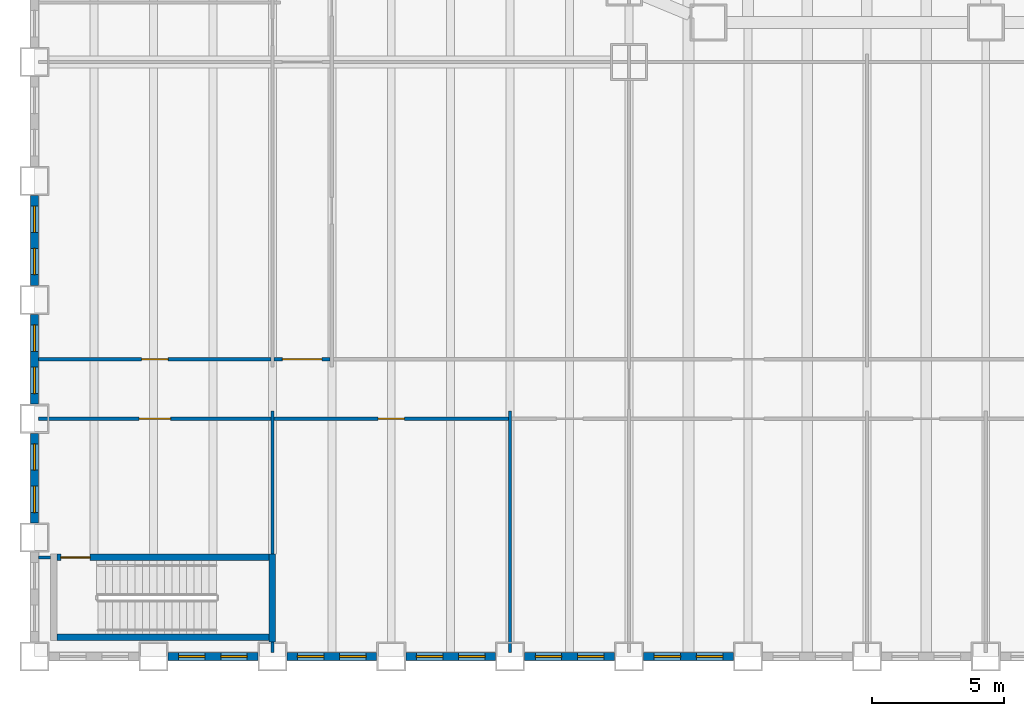
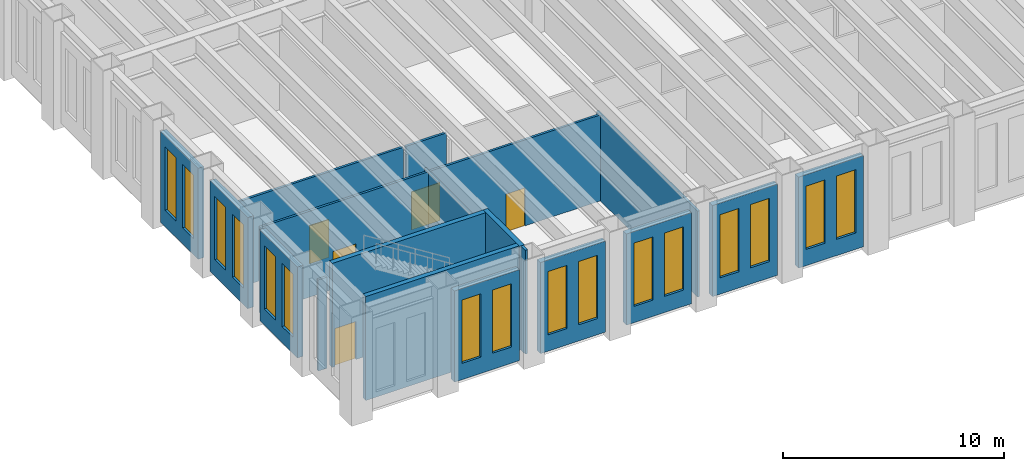
# One storey, part 6 of 19: 19 walls, 16 windows, 5 doors, 21 openings.
"""IFC4 building model written with IfcOpenShell, lengths in metres."""

from ifc_helpers import new_model, si_unit, direction, frame, frame_2d, origin, place, context, subcontext, project, spatial, rectangle, extrude, material, layer, layer_set, type_object, element, fill, save


model = new_model("IFC4")

# Units and contexts
model_context = context("Model", 3, precision=1e-05, world=origin(), true_north=direction((0.0, 1.0)))
body_context = subcontext(model_context, "Body", "Model", "MODEL_VIEW")
ifc_project = project(units=[si_unit("LENGTHUNIT", "METRE"), si_unit("AREAUNIT", "SQUARE_METRE"), si_unit("VOLUMEUNIT", "CUBIC_METRE"), si_unit("PLANEANGLEUNIT", "RADIAN"), si_unit("MASSUNIT", "GRAM", prefix="KILO")], contexts=[model_context])

# Site, building, storey
site_placement = place(None, origin())
site = spatial("IfcSite", under=ifc_project, at=site_placement, CompositionType="ELEMENT")
building_placement = place(site_placement, origin())
building = spatial("IfcBuilding", under=site, at=building_placement, Name="Sennacour Bend Tower", CompositionType="ELEMENT")
storey_placement = place(building_placement, frame((0.0, 0.0, 8.0)))
storey = spatial("IfcBuildingStorey", under=building, at=storey_placement, Name="L01", CompositionType="ELEMENT", Elevation=8.0)

# Walls
ifc_material_1 = material(Name="Plasterboard partition on steel studs", Category="steel")
ifc_layer_1 = layer(ifc_material_1, 0.1201171875, Name="Plasterboard partition on steel studs", Category="steel")
ifc_layer_set_1 = layer_set([ifc_layer_1], Name="Plasterboard partition on steel studs")
wall_type_1 = type_object("IfcWallType", Name="Partition 120", PredefinedType="PARTITIONING", material=ifc_layer_set_1)
wall_1_placement = place(storey_placement, frame((9.0, 0.14990234375, 0.0), z_axis=(0.0, 0.0, 1.0), x_axis=(0.0, 1.0, 0.0)))
element("IfcWall", 1, at=wall_1_placement, inside=storey, type_object=wall_type_1, Name="P-L01-W006a", PredefinedType="PARTITIONING", context=body_context, shape_type="SweptSolid", body=[
    extrude(rectangle(XDim=0.400146484375, YDim=0.1201171875, at=frame_2d((0.2001953125, 0.0))), origin(), (0.0, 0.0, 1.0), 5.75),
])
wall_2_placement = place(storey_placement, frame((9.0, 3.875, 0.0), z_axis=(0.0, 0.0, 1.0), x_axis=(0.0, 1.0, 0.0)))
element("IfcWall", 2, at=wall_2_placement, inside=storey, type_object=wall_type_1, Name="P-L01-W008a", PredefinedType="PARTITIONING", context=body_context, shape_type="SweptSolid", body=[
    extrude(rectangle(XDim=5.425048828125, YDim=0.1201171875, at=frame_2d((2.71240234375, 0.0))), origin(), (0.0, 0.0, 1.0), 4.7587890625),
])
wall_3_placement = place(storey_placement, frame((18.0, 0.14990234375, 0.0), z_axis=(0.0, 0.0, 1.0), x_axis=(0.0, 1.0, 0.0)))
element("IfcWall", 3, at=wall_3_placement, inside=storey, type_object=wall_type_1, Name="P-L01-W016a", PredefinedType="PARTITIONING", context=body_context, shape_type="SweptSolid", body=[
    extrude(rectangle(XDim=9.150146484375, YDim=0.1201171875, at=frame_2d((4.5751953125, 0.0))), origin(), (0.0, 0.0, 1.0), 4.7587890625),
])
wall_4_placement = place(storey_placement, frame((0.14990234375, 3.75, 0.0), z_axis=(0.0, 0.0, 1.0), x_axis=(1.0, 0.0, 0.0)))
element("IfcWall", 4, at=wall_4_placement, inside=storey, type_object=wall_type_1, Name="P-L01-W045a", PredefinedType="PARTITIONING", context=body_context, shape_type="SweptSolid", body=[
    extrude(rectangle(XDim=0.4501953125, YDim=0.1201171875, at=frame_2d((0.22509765625, 0.0))), origin(), (0.0, 0.0, 1.0), 5.0361328125),
])

# Wall, opening, door
wall_5_placement = place(storey_placement, frame((9.06005859375, 9.0, 0.0), z_axis=(0.0, 0.0, 1.0), x_axis=(1.0, 0.0, 0.0)))
wall_5 = element("IfcWall", 5, at=wall_5_placement, inside=storey, type_object=wall_type_1, Name="P-L01-W051ab", PredefinedType="PARTITIONING", context=body_context, shape_type="SweptSolid", body=[
    extrude(rectangle(XDim=8.8798828125, YDim=0.1201171875, at=frame_2d((4.43994140625, 0.0))), origin(), (0.0, 0.0, 1.0), 4.7587890625),
])
opening_1_placement = place(wall_5_placement, frame((3.93994140625, 0.0, 0.0)))
opening_1 = element("IfcOpeningElement", 6, at=opening_1_placement, cuts=wall_5, Name="Opening OD2", PredefinedType="OPENING", context=body_context, shape_type="SweptSolid", body=[
    extrude(rectangle(XDim=1.0, YDim=2.10009765625, at=frame_2d((0.5, 1.050048828125))), frame((0.0, 0.070068359375, 0.0), z_axis=(0.0, -1.0, 0.0), x_axis=(1.0, 0.0, 0.0)), (0.0, 0.0, 1.0), 0.14013671875),
])
ifc_material_2 = material(Name="Timber", Category="wood")
door_type_1 = type_object("IfcDoorType", Name="DR-OFFICE-1000", OperationType="NOTDEFINED", PredefinedType="DOOR", material=ifc_material_2)
door_1_placement = place(opening_1_placement, origin())
door_1 = element("IfcDoor", 7, at=door_1_placement, inside=storey, type_object=door_type_1, Name="Door", OperationType="SINGLE_SWING_LEFT", OverallHeight=2.10009765625, OverallWidth=1.0, PredefinedType="DOOR", context=body_context, shape_type="SweptSolid", body=[
    extrude(rectangle(XDim=1.0, YDim=2.10009765625, at=frame_2d((0.5, 1.050048828125))), frame((0.0, 0.02490234375, 0.0), z_axis=(0.0, -1.0, 0.0), x_axis=(1.0, 0.0, 0.0)), (0.0, 0.0, 1.0), 0.050048828125),
])
fill(opening_1, door_1)

wall_6_placement = place(storey_placement, frame((0.14990234375, 11.25, 0.0), z_axis=(0.0, 0.0, 1.0), x_axis=(1.0, 0.0, 0.0)))
wall_6 = element("IfcWall", 8, at=wall_6_placement, inside=storey, type_object=wall_type_1, Name="P-L01-W053aa", PredefinedType="PARTITIONING", context=body_context, shape_type="SweptSolid", body=[
    extrude(rectangle(XDim=8.7900390625, YDim=0.1201171875, at=frame_2d((4.39501953125, 0.0))), origin(), (0.0, 0.0, 1.0), 4.7587890625),
])
opening_2_placement = place(wall_6_placement, frame((3.905029296875, 0.0, 0.0)))
opening_2 = element("IfcOpeningElement", 9, at=opening_2_placement, cuts=wall_6, Name="Opening MD2", PredefinedType="OPENING", context=body_context, shape_type="SweptSolid", body=[
    extrude(rectangle(XDim=1.0, YDim=2.10009765625, at=frame_2d((0.5, 1.050048828125))), frame((0.0, 0.070068359375, 0.0), z_axis=(0.0, -1.0, 0.0), x_axis=(1.0, 0.0, 0.0)), (0.0, 0.0, 1.0), 0.14013671875),
])
door_type_2 = type_object("IfcDoorType", Name="DR-MEETING-1000", OperationType="NOTDEFINED", PredefinedType="DOOR", material=ifc_material_2)
door_2_placement = place(opening_2_placement, origin())
door_2 = element("IfcDoor", 10, at=door_2_placement, inside=storey, type_object=door_type_2, Name="Door", OperationType="SINGLE_SWING_LEFT", OverallHeight=2.10009765625, OverallWidth=1.0, PredefinedType="DOOR", context=body_context, shape_type="SweptSolid", body=[
    extrude(rectangle(XDim=1.0, YDim=2.10009765625, at=frame_2d((0.5, 1.050048828125))), frame((0.0, 0.02490234375, 0.0), z_axis=(0.0, -1.0, 0.0), x_axis=(1.0, 0.0, 0.0)), (0.0, 0.0, 1.0), 0.050048828125),
])
fill(opening_2, door_2)

ifc_layer_2 = layer(ifc_material_1, 0.1201171875, Name="Plasterboard partition on steel studs", Category="steel")
ifc_layer_set_2 = layer_set([ifc_layer_2], Name="Plasterboard partition on steel studs")
wall_type_2 = type_object("IfcWallType", Name="Partition 120 EI 30", PredefinedType="PARTITIONING", material=ifc_layer_set_2)
wall_7_placement = place(storey_placement, frame((0.14990234375, 9.0, 0.0), z_axis=(0.0, 0.0, 1.0), x_axis=(1.0, 0.0, 0.0)))
wall_7 = element("IfcWall", 11, at=wall_7_placement, inside=storey, type_object=wall_type_2, Name="P-L01-W051aa", PredefinedType="PARTITIONING", context=body_context, shape_type="SweptSolid", body=[
    extrude(rectangle(XDim=8.7900390625, YDim=0.1201171875, at=frame_2d((4.39501953125, 0.0))), origin(), (0.0, 0.0, 1.0), 4.7587890625),
])
opening_3_placement = place(wall_7_placement, frame((3.80517578125, 0.0, 0.0)))
opening_3 = element("IfcOpeningElement", 12, at=opening_3_placement, cuts=wall_7, Name="Opening KD2", PredefinedType="OPENING", context=body_context, shape_type="SweptSolid", body=[
    extrude(rectangle(XDim=1.199951171875, YDim=2.10009765625, at=frame_2d((0.60009765625, 1.050048828125))), frame((0.0, 0.070068359375, 0.0), z_axis=(0.0, -1.0, 0.0), x_axis=(1.0, 0.0, 0.0)), (0.0, 0.0, 1.0), 0.14013671875),
])
ifc_material_3 = material(Name="Painted steel", Category="steel")
door_type_3 = type_object("IfcDoorType", Name="DR-CORRIDOR-1200", OperationType="NOTDEFINED", PredefinedType="DOOR", material=ifc_material_3)
door_3_placement = place(opening_3_placement, origin())
door_3 = element("IfcDoor", 13, at=door_3_placement, inside=storey, type_object=door_type_3, Name="Door", OperationType="SINGLE_SWING_RIGHT", OverallHeight=2.10009765625, OverallWidth=1.199951171875, PredefinedType="DOOR", context=body_context, shape_type="SweptSolid", body=[
    extrude(rectangle(XDim=1.199951171875, YDim=2.10009765625, at=frame_2d((0.60009765625, 1.050048828125))), frame((0.0, 0.02490234375, 0.0), z_axis=(0.0, -1.0, 0.0), x_axis=(1.0, 0.0, 0.0)), (0.0, 0.0, 1.0), 0.050048828125),
])
fill(opening_3, door_3)

wall_8_placement = place(storey_placement, frame((9.06005859375, 11.25, 0.0), z_axis=(0.0, 0.0, 1.0), x_axis=(1.0, 0.0, 0.0)))
wall_8 = element("IfcWall", 14, at=wall_8_placement, inside=storey, type_object=wall_type_2, Name="P-L01-W053ab", PredefinedType="PARTITIONING", context=body_context, shape_type="SweptSolid", body=[
    extrude(rectangle(XDim=2.1298828125, YDim=0.1201171875, at=frame_2d((1.06494140625, 0.0))), origin(), (0.0, 0.0, 1.0), 4.7587890625),
])
opening_4_placement = place(wall_8_placement, frame((0.31494140625, 0.0, 0.0)))
opening_4 = element("IfcOpeningElement", 15, at=opening_4_placement, cuts=wall_8, Name="Opening KD", PredefinedType="OPENING", context=body_context, shape_type="SweptSolid", body=[
    extrude(rectangle(XDim=1.5, YDim=2.10009765625, at=frame_2d((0.75, 1.050048828125))), frame((0.0, 0.070068359375, 0.0), z_axis=(0.0, -1.0, 0.0), x_axis=(1.0, 0.0, 0.0)), (0.0, 0.0, 1.0), 0.14013671875),
])
door_type_4 = type_object("IfcDoorType", Name="DR-CORRIDOR-1500", OperationType="NOTDEFINED", PredefinedType="DOOR", material=ifc_material_3)
door_4_placement = place(opening_4_placement, origin())
door_4 = element("IfcDoor", 16, at=door_4_placement, inside=storey, type_object=door_type_4, Name="Door", OperationType="SINGLE_SWING_LEFT", OverallHeight=2.10009765625, OverallWidth=1.5, PredefinedType="DOOR", context=body_context, shape_type="SweptSolid", body=[
    extrude(rectangle(XDim=1.5, YDim=2.10009765625, at=frame_2d((0.75, 1.050048828125))), frame((0.0, 0.02490234375, 0.0), z_axis=(0.0, -1.0, 0.0), x_axis=(1.0, 0.0, 0.0)), (0.0, 0.0, 1.0), 0.050048828125),
])
fill(opening_4, door_4)

# Wall, openings, windows
ifc_material_4 = material(Name="Warm limestone cladding", Category="masonry")
ifc_layer_3 = layer(ifc_material_4, 0.050048828125, Name="Warm limestone cladding", Category="masonry")
ifc_material_5 = material(Name="Precast concrete C40/50", Category="concrete")
ifc_layer_4 = layer(ifc_material_5, 0.25, Name="Precast concrete C40/50", Category="concrete")
ifc_layer_set_3 = layer_set([ifc_layer_3, ifc_layer_4], Name="Precast concrete C40/50 with limestone cladding")
wall_type_3 = type_object("IfcWallType", Name="STONE-CLAD PRECAST SPANDREL 300", PredefinedType="STANDARD", material=ifc_layer_set_3)
wall_9_placement = place(storey_placement, frame((0.0, 17.449951171875, 0.0), z_axis=(0.0, 0.0, 1.0), x_axis=(0.0, -1.0, 0.0)))
wall_9 = element("IfcWall", 17, at=wall_9_placement, inside=storey, type_object=wall_type_3, Name="Stone spandrel and pier wall L01 02.04", PredefinedType="STANDARD", context=body_context, shape_type="SweptSolid", body=[
    extrude(rectangle(XDim=3.39990234375, YDim=0.300048828125, at=frame_2d((1.699951171875, 0.0))), origin(), (0.0, 0.0, 1.0), 5.035888671875),
])
opening_5_placement = place(wall_9_placement, frame((0.39990234375, 0.0, 0.89990234375)))
opening_5 = element("IfcOpeningElement", 18, at=opening_5_placement, cuts=wall_9, Name="Opening W1", PredefinedType="OPENING", context=body_context, shape_type="SweptSolid", body=[
    extrude(rectangle(XDim=1.0, YDim=3.5, at=frame_2d((0.5, 1.75))), frame((0.0, 0.16015625, 0.0), z_axis=(0.0, -1.0, 0.0), x_axis=(1.0, 0.0, 0.0)), (0.0, 0.0, 1.0), 0.320068359375),
])
opening_6_placement = place(wall_9_placement, frame((2.0, 0.0, 0.89990234375)))
opening_6 = element("IfcOpeningElement", 19, at=opening_6_placement, cuts=wall_9, Name="Opening W1", PredefinedType="OPENING", context=body_context, shape_type="SweptSolid", body=[
    extrude(rectangle(XDim=1.0, YDim=3.5, at=frame_2d((0.5, 1.75))), frame((0.0, 0.16015625, 0.0), z_axis=(0.0, -1.0, 0.0), x_axis=(1.0, 0.0, 0.0)), (0.0, 0.0, 1.0), 0.320068359375),
])
ifc_material_6 = material(Name="Clear low-emissivity glass", Category="glass")
window_type = type_object("IfcWindowType", Name="WIN-RIBBON-1000x3500", PartitioningType="SINGLE_PANEL", PredefinedType="WINDOW", material=ifc_material_6)
window_1_placement = place(opening_5_placement, origin())
window_1 = element("IfcWindow", 20, at=window_1_placement, inside=storey, type_object=window_type, Name="Ribbon window L01 02.04.0", OverallHeight=3.5, OverallWidth=1.0, PartitioningType="SINGLE_PANEL", PredefinedType="WINDOW", context=body_context, shape_type="SweptSolid", body=[
    extrude(rectangle(XDim=1.0, YDim=3.5, at=frame_2d((0.5, 1.75))), frame((0.0, 0.030029296875, 0.0), z_axis=(0.0, -1.0, 0.0), x_axis=(1.0, 0.0, 0.0)), (0.0, 0.0, 1.0), 0.06005859375),
])
fill(opening_5, window_1)
window_2_placement = place(opening_6_placement, origin())
window_2 = element("IfcWindow", 21, at=window_2_placement, inside=storey, type_object=window_type, Name="Ribbon window L01 02.04.1", OverallHeight=3.5, OverallWidth=1.0, PartitioningType="SINGLE_PANEL", PredefinedType="WINDOW", context=body_context, shape_type="SweptSolid", body=[
    extrude(rectangle(XDim=1.0, YDim=3.5, at=frame_2d((0.5, 1.75))), frame((0.0, 0.030029296875, 0.0), z_axis=(0.0, -1.0, 0.0), x_axis=(1.0, 0.0, 0.0)), (0.0, 0.0, 1.0), 0.06005859375),
])
fill(opening_6, window_2)

wall_10_placement = place(storey_placement, frame((0.0, 12.949951171875, 0.0), z_axis=(0.0, 0.0, 1.0), x_axis=(0.0, -1.0, 0.0)))
wall_10 = element("IfcWall", 22, at=wall_10_placement, inside=storey, type_object=wall_type_3, Name="Stone spandrel and pier wall L01 02.05", PredefinedType="STANDARD", context=body_context, shape_type="SweptSolid", body=[
    extrude(rectangle(XDim=3.39990234375, YDim=0.300048828125, at=frame_2d((1.699951171875, 0.0))), origin(), (0.0, 0.0, 1.0), 5.035888671875),
])
opening_7_placement = place(wall_10_placement, frame((0.39990234375, 0.0, 0.89990234375)))
opening_7 = element("IfcOpeningElement", 23, at=opening_7_placement, cuts=wall_10, Name="Opening W1", PredefinedType="OPENING", context=body_context, shape_type="SweptSolid", body=[
    extrude(rectangle(XDim=1.0, YDim=3.5, at=frame_2d((0.5, 1.75))), frame((0.0, 0.16015625, 0.0), z_axis=(0.0, -1.0, 0.0), x_axis=(1.0, 0.0, 0.0)), (0.0, 0.0, 1.0), 0.320068359375),
])
opening_8_placement = place(wall_10_placement, frame((2.0, 0.0, 0.89990234375)))
opening_8 = element("IfcOpeningElement", 24, at=opening_8_placement, cuts=wall_10, Name="Opening W1", PredefinedType="OPENING", context=body_context, shape_type="SweptSolid", body=[
    extrude(rectangle(XDim=1.0, YDim=3.5, at=frame_2d((0.5, 1.75))), frame((0.0, 0.16015625, 0.0), z_axis=(0.0, -1.0, 0.0), x_axis=(1.0, 0.0, 0.0)), (0.0, 0.0, 1.0), 0.320068359375),
])
window_3_placement = place(opening_7_placement, origin())
window_3 = element("IfcWindow", 25, at=window_3_placement, inside=storey, type_object=window_type, Name="Ribbon window L01 02.05.0", OverallHeight=3.5, OverallWidth=1.0, PartitioningType="SINGLE_PANEL", PredefinedType="WINDOW", context=body_context, shape_type="SweptSolid", body=[
    extrude(rectangle(XDim=1.0, YDim=3.5, at=frame_2d((0.5, 1.75))), frame((0.0, 0.030029296875, 0.0), z_axis=(0.0, -1.0, 0.0), x_axis=(1.0, 0.0, 0.0)), (0.0, 0.0, 1.0), 0.06005859375),
])
fill(opening_7, window_3)
window_4_placement = place(opening_8_placement, origin())
window_4 = element("IfcWindow", 26, at=window_4_placement, inside=storey, type_object=window_type, Name="Ribbon window L01 02.05.1", OverallHeight=3.5, OverallWidth=1.0, PartitioningType="SINGLE_PANEL", PredefinedType="WINDOW", context=body_context, shape_type="SweptSolid", body=[
    extrude(rectangle(XDim=1.0, YDim=3.5, at=frame_2d((0.5, 1.75))), frame((0.0, 0.030029296875, 0.0), z_axis=(0.0, -1.0, 0.0), x_axis=(1.0, 0.0, 0.0)), (0.0, 0.0, 1.0), 0.06005859375),
])
fill(opening_8, window_4)

wall_11_placement = place(storey_placement, frame((0.0, 8.449951171875, 0.0), z_axis=(0.0, 0.0, 1.0), x_axis=(0.0, -1.0, 0.0)))
wall_11 = element("IfcWall", 27, at=wall_11_placement, inside=storey, type_object=wall_type_3, Name="Stone spandrel and pier wall L01 02.06", PredefinedType="STANDARD", context=body_context, shape_type="SweptSolid", body=[
    extrude(rectangle(XDim=3.39990234375, YDim=0.300048828125, at=frame_2d((1.699951171875, 0.0))), origin(), (0.0, 0.0, 1.0), 5.035888671875),
])
opening_9_placement = place(wall_11_placement, frame((0.39990234375, 0.0, 0.89990234375)))
opening_9 = element("IfcOpeningElement", 28, at=opening_9_placement, cuts=wall_11, Name="Opening W1", PredefinedType="OPENING", context=body_context, shape_type="SweptSolid", body=[
    extrude(rectangle(XDim=1.0, YDim=3.5, at=frame_2d((0.5, 1.75))), frame((0.0, 0.16015625, 0.0), z_axis=(0.0, -1.0, 0.0), x_axis=(1.0, 0.0, 0.0)), (0.0, 0.0, 1.0), 0.320068359375),
])
opening_10_placement = place(wall_11_placement, frame((2.0, 0.0, 0.89990234375)))
opening_10 = element("IfcOpeningElement", 29, at=opening_10_placement, cuts=wall_11, Name="Opening W1", PredefinedType="OPENING", context=body_context, shape_type="SweptSolid", body=[
    extrude(rectangle(XDim=1.0, YDim=3.5, at=frame_2d((0.5, 1.75))), frame((0.0, 0.16015625, 0.0), z_axis=(0.0, -1.0, 0.0), x_axis=(1.0, 0.0, 0.0)), (0.0, 0.0, 1.0), 0.320068359375),
])
window_5_placement = place(opening_9_placement, origin())
window_5 = element("IfcWindow", 30, at=window_5_placement, inside=storey, type_object=window_type, Name="Ribbon window L01 02.06.0", OverallHeight=3.5, OverallWidth=1.0, PartitioningType="SINGLE_PANEL", PredefinedType="WINDOW", context=body_context, shape_type="SweptSolid", body=[
    extrude(rectangle(XDim=1.0, YDim=3.5, at=frame_2d((0.5, 1.75))), frame((0.0, 0.030029296875, 0.0), z_axis=(0.0, -1.0, 0.0), x_axis=(1.0, 0.0, 0.0)), (0.0, 0.0, 1.0), 0.06005859375),
])
fill(opening_9, window_5)
window_6_placement = place(opening_10_placement, origin())
window_6 = element("IfcWindow", 31, at=window_6_placement, inside=storey, type_object=window_type, Name="Ribbon window L01 02.06.1", OverallHeight=3.5, OverallWidth=1.0, PartitioningType="SINGLE_PANEL", PredefinedType="WINDOW", context=body_context, shape_type="SweptSolid", body=[
    extrude(rectangle(XDim=1.0, YDim=3.5, at=frame_2d((0.5, 1.75))), frame((0.0, 0.030029296875, 0.0), z_axis=(0.0, -1.0, 0.0), x_axis=(1.0, 0.0, 0.0)), (0.0, 0.0, 1.0), 0.06005859375),
])
fill(opening_10, window_6)

wall_12_placement = place(storey_placement, frame((5.050048828125, 0.0, 0.0), z_axis=(0.0, 0.0, 1.0), x_axis=(1.0, 0.0, 0.0)))
wall_12 = element("IfcWall", 32, at=wall_12_placement, inside=storey, type_object=wall_type_3, Name="Stone spandrel and pier wall L01 03.01", PredefinedType="STANDARD", context=body_context, shape_type="SweptSolid", body=[
    extrude(rectangle(XDim=3.39990234375, YDim=0.300048828125, at=frame_2d((1.699951171875, 0.0))), origin(), (0.0, 0.0, 1.0), 5.035888671875),
])
opening_11_placement = place(wall_12_placement, frame((0.39990234375, 0.0, 0.89990234375)))
opening_11 = element("IfcOpeningElement", 33, at=opening_11_placement, cuts=wall_12, Name="Opening W1", PredefinedType="OPENING", context=body_context, shape_type="SweptSolid", body=[
    extrude(rectangle(XDim=1.0, YDim=3.5, at=frame_2d((0.5, 1.75))), frame((0.0, 0.16015625, 0.0), z_axis=(0.0, -1.0, 0.0), x_axis=(1.0, 0.0, 0.0)), (0.0, 0.0, 1.0), 0.320068359375),
])
opening_12_placement = place(wall_12_placement, frame((2.0, 0.0, 0.89990234375)))
opening_12 = element("IfcOpeningElement", 34, at=opening_12_placement, cuts=wall_12, Name="Opening W1", PredefinedType="OPENING", context=body_context, shape_type="SweptSolid", body=[
    extrude(rectangle(XDim=1.0, YDim=3.5, at=frame_2d((0.5, 1.75))), frame((0.0, 0.16015625, 0.0), z_axis=(0.0, -1.0, 0.0), x_axis=(1.0, 0.0, 0.0)), (0.0, 0.0, 1.0), 0.320068359375),
])
window_7_placement = place(opening_11_placement, origin())
window_7 = element("IfcWindow", 35, at=window_7_placement, inside=storey, type_object=window_type, Name="Ribbon window L01 03.01.0", OverallHeight=3.5, OverallWidth=1.0, PartitioningType="SINGLE_PANEL", PredefinedType="WINDOW", context=body_context, shape_type="SweptSolid", body=[
    extrude(rectangle(XDim=1.0, YDim=3.5, at=frame_2d((0.5, 1.75))), frame((0.0, 0.030029296875, 0.0), z_axis=(0.0, -1.0, 0.0), x_axis=(1.0, 0.0, 0.0)), (0.0, 0.0, 1.0), 0.06005859375),
])
fill(opening_11, window_7)
window_8_placement = place(opening_12_placement, origin())
window_8 = element("IfcWindow", 36, at=window_8_placement, inside=storey, type_object=window_type, Name="Ribbon window L01 03.01.1", OverallHeight=3.5, OverallWidth=1.0, PartitioningType="SINGLE_PANEL", PredefinedType="WINDOW", context=body_context, shape_type="SweptSolid", body=[
    extrude(rectangle(XDim=1.0, YDim=3.5, at=frame_2d((0.5, 1.75))), frame((0.0, 0.030029296875, 0.0), z_axis=(0.0, -1.0, 0.0), x_axis=(1.0, 0.0, 0.0)), (0.0, 0.0, 1.0), 0.06005859375),
])
fill(opening_12, window_8)

wall_13_placement = place(storey_placement, frame((9.550048828125, 0.0, 0.0), z_axis=(0.0, 0.0, 1.0), x_axis=(1.0, 0.0, 0.0)))
wall_13 = element("IfcWall", 37, at=wall_13_placement, inside=storey, type_object=wall_type_3, Name="Stone spandrel and pier wall L01 03.02", PredefinedType="STANDARD", context=body_context, shape_type="SweptSolid", body=[
    extrude(rectangle(XDim=3.39990234375, YDim=0.300048828125, at=frame_2d((1.699951171875, 0.0))), origin(), (0.0, 0.0, 1.0), 5.035888671875),
])
opening_13_placement = place(wall_13_placement, frame((0.39990234375, 0.0, 0.89990234375)))
opening_13 = element("IfcOpeningElement", 38, at=opening_13_placement, cuts=wall_13, Name="Opening W1", PredefinedType="OPENING", context=body_context, shape_type="SweptSolid", body=[
    extrude(rectangle(XDim=1.0, YDim=3.5, at=frame_2d((0.5, 1.75))), frame((0.0, 0.16015625, 0.0), z_axis=(0.0, -1.0, 0.0), x_axis=(1.0, 0.0, 0.0)), (0.0, 0.0, 1.0), 0.320068359375),
])
opening_14_placement = place(wall_13_placement, frame((2.0, 0.0, 0.89990234375)))
opening_14 = element("IfcOpeningElement", 39, at=opening_14_placement, cuts=wall_13, Name="Opening W1", PredefinedType="OPENING", context=body_context, shape_type="SweptSolid", body=[
    extrude(rectangle(XDim=1.0, YDim=3.5, at=frame_2d((0.5, 1.75))), frame((0.0, 0.16015625, 0.0), z_axis=(0.0, -1.0, 0.0), x_axis=(1.0, 0.0, 0.0)), (0.0, 0.0, 1.0), 0.320068359375),
])
window_9_placement = place(opening_13_placement, origin())
window_9 = element("IfcWindow", 40, at=window_9_placement, inside=storey, type_object=window_type, Name="Ribbon window L01 03.02.0", OverallHeight=3.5, OverallWidth=1.0, PartitioningType="SINGLE_PANEL", PredefinedType="WINDOW", context=body_context, shape_type="SweptSolid", body=[
    extrude(rectangle(XDim=1.0, YDim=3.5, at=frame_2d((0.5, 1.75))), frame((0.0, 0.030029296875, 0.0), z_axis=(0.0, -1.0, 0.0), x_axis=(1.0, 0.0, 0.0)), (0.0, 0.0, 1.0), 0.06005859375),
])
fill(opening_13, window_9)
window_10_placement = place(opening_14_placement, origin())
window_10 = element("IfcWindow", 41, at=window_10_placement, inside=storey, type_object=window_type, Name="Ribbon window L01 03.02.1", OverallHeight=3.5, OverallWidth=1.0, PartitioningType="SINGLE_PANEL", PredefinedType="WINDOW", context=body_context, shape_type="SweptSolid", body=[
    extrude(rectangle(XDim=1.0, YDim=3.5, at=frame_2d((0.5, 1.75))), frame((0.0, 0.030029296875, 0.0), z_axis=(0.0, -1.0, 0.0), x_axis=(1.0, 0.0, 0.0)), (0.0, 0.0, 1.0), 0.06005859375),
])
fill(opening_14, window_10)

wall_14_placement = place(storey_placement, frame((14.050048828125, 0.0, 0.0), z_axis=(0.0, 0.0, 1.0), x_axis=(1.0, 0.0, 0.0)))
wall_14 = element("IfcWall", 42, at=wall_14_placement, inside=storey, type_object=wall_type_3, Name="Stone spandrel and pier wall L01 03.03", PredefinedType="STANDARD", context=body_context, shape_type="SweptSolid", body=[
    extrude(rectangle(XDim=3.39990234375, YDim=0.300048828125, at=frame_2d((1.699951171875, 0.0))), origin(), (0.0, 0.0, 1.0), 5.035888671875),
])
opening_15_placement = place(wall_14_placement, frame((0.39990234375, 0.0, 0.89990234375)))
opening_15 = element("IfcOpeningElement", 43, at=opening_15_placement, cuts=wall_14, Name="Opening W1", PredefinedType="OPENING", context=body_context, shape_type="SweptSolid", body=[
    extrude(rectangle(XDim=1.0, YDim=3.5, at=frame_2d((0.5, 1.75))), frame((0.0, 0.16015625, 0.0), z_axis=(0.0, -1.0, 0.0), x_axis=(1.0, 0.0, 0.0)), (0.0, 0.0, 1.0), 0.320068359375),
])
opening_16_placement = place(wall_14_placement, frame((2.0, 0.0, 0.89990234375)))
opening_16 = element("IfcOpeningElement", 44, at=opening_16_placement, cuts=wall_14, Name="Opening W1", PredefinedType="OPENING", context=body_context, shape_type="SweptSolid", body=[
    extrude(rectangle(XDim=1.0, YDim=3.5, at=frame_2d((0.5, 1.75))), frame((0.0, 0.16015625, 0.0), z_axis=(0.0, -1.0, 0.0), x_axis=(1.0, 0.0, 0.0)), (0.0, 0.0, 1.0), 0.320068359375),
])
window_11_placement = place(opening_15_placement, origin())
window_11 = element("IfcWindow", 45, at=window_11_placement, inside=storey, type_object=window_type, Name="Ribbon window L01 03.03.0", OverallHeight=3.5, OverallWidth=1.0, PartitioningType="SINGLE_PANEL", PredefinedType="WINDOW", context=body_context, shape_type="SweptSolid", body=[
    extrude(rectangle(XDim=1.0, YDim=3.5, at=frame_2d((0.5, 1.75))), frame((0.0, 0.030029296875, 0.0), z_axis=(0.0, -1.0, 0.0), x_axis=(1.0, 0.0, 0.0)), (0.0, 0.0, 1.0), 0.06005859375),
])
fill(opening_15, window_11)
window_12_placement = place(opening_16_placement, origin())
window_12 = element("IfcWindow", 46, at=window_12_placement, inside=storey, type_object=window_type, Name="Ribbon window L01 03.03.1", OverallHeight=3.5, OverallWidth=1.0, PartitioningType="SINGLE_PANEL", PredefinedType="WINDOW", context=body_context, shape_type="SweptSolid", body=[
    extrude(rectangle(XDim=1.0, YDim=3.5, at=frame_2d((0.5, 1.75))), frame((0.0, 0.030029296875, 0.0), z_axis=(0.0, -1.0, 0.0), x_axis=(1.0, 0.0, 0.0)), (0.0, 0.0, 1.0), 0.06005859375),
])
fill(opening_16, window_12)

wall_15_placement = place(storey_placement, frame((18.550048828125, 0.0, 0.0), z_axis=(0.0, 0.0, 1.0), x_axis=(1.0, 0.0, 0.0)))
wall_15 = element("IfcWall", 47, at=wall_15_placement, inside=storey, type_object=wall_type_3, Name="Stone spandrel and pier wall L01 03.04", PredefinedType="STANDARD", context=body_context, shape_type="SweptSolid", body=[
    extrude(rectangle(XDim=3.39990234375, YDim=0.300048828125, at=frame_2d((1.699951171875, 0.0))), origin(), (0.0, 0.0, 1.0), 5.035888671875),
])
opening_17_placement = place(wall_15_placement, frame((0.39990234375, 0.0, 0.89990234375)))
opening_17 = element("IfcOpeningElement", 48, at=opening_17_placement, cuts=wall_15, Name="Opening W1", PredefinedType="OPENING", context=body_context, shape_type="SweptSolid", body=[
    extrude(rectangle(XDim=1.0, YDim=3.5, at=frame_2d((0.5, 1.75))), frame((0.0, 0.16015625, 0.0), z_axis=(0.0, -1.0, 0.0), x_axis=(1.0, 0.0, 0.0)), (0.0, 0.0, 1.0), 0.320068359375),
])
opening_18_placement = place(wall_15_placement, frame((2.0, 0.0, 0.89990234375)))
opening_18 = element("IfcOpeningElement", 49, at=opening_18_placement, cuts=wall_15, Name="Opening W1", PredefinedType="OPENING", context=body_context, shape_type="SweptSolid", body=[
    extrude(rectangle(XDim=1.0, YDim=3.5, at=frame_2d((0.5, 1.75))), frame((0.0, 0.16015625, 0.0), z_axis=(0.0, -1.0, 0.0), x_axis=(1.0, 0.0, 0.0)), (0.0, 0.0, 1.0), 0.320068359375),
])
window_13_placement = place(opening_17_placement, origin())
window_13 = element("IfcWindow", 50, at=window_13_placement, inside=storey, type_object=window_type, Name="Ribbon window L01 03.04.0", OverallHeight=3.5, OverallWidth=1.0, PartitioningType="SINGLE_PANEL", PredefinedType="WINDOW", context=body_context, shape_type="SweptSolid", body=[
    extrude(rectangle(XDim=1.0, YDim=3.5, at=frame_2d((0.5, 1.75))), frame((0.0, 0.030029296875, 0.0), z_axis=(0.0, -1.0, 0.0), x_axis=(1.0, 0.0, 0.0)), (0.0, 0.0, 1.0), 0.06005859375),
])
fill(opening_17, window_13)
window_14_placement = place(opening_18_placement, origin())
window_14 = element("IfcWindow", 51, at=window_14_placement, inside=storey, type_object=window_type, Name="Ribbon window L01 03.04.1", OverallHeight=3.5, OverallWidth=1.0, PartitioningType="SINGLE_PANEL", PredefinedType="WINDOW", context=body_context, shape_type="SweptSolid", body=[
    extrude(rectangle(XDim=1.0, YDim=3.5, at=frame_2d((0.5, 1.75))), frame((0.0, 0.030029296875, 0.0), z_axis=(0.0, -1.0, 0.0), x_axis=(1.0, 0.0, 0.0)), (0.0, 0.0, 1.0), 0.06005859375),
])
fill(opening_18, window_14)

wall_16_placement = place(storey_placement, frame((23.050048828125, 0.0, 0.0), z_axis=(0.0, 0.0, 1.0), x_axis=(1.0, 0.0, 0.0)))
wall_16 = element("IfcWall", 52, at=wall_16_placement, inside=storey, type_object=wall_type_3, Name="Stone spandrel and pier wall L01 03.05", PredefinedType="STANDARD", context=body_context, shape_type="SweptSolid", body=[
    extrude(rectangle(XDim=3.39990234375, YDim=0.300048828125, at=frame_2d((1.699951171875, 0.0))), origin(), (0.0, 0.0, 1.0), 5.035888671875),
])
opening_19_placement = place(wall_16_placement, frame((0.39990234375, 0.0, 0.89990234375)))
opening_19 = element("IfcOpeningElement", 53, at=opening_19_placement, cuts=wall_16, Name="Opening W1", PredefinedType="OPENING", context=body_context, shape_type="SweptSolid", body=[
    extrude(rectangle(XDim=1.0, YDim=3.5, at=frame_2d((0.5, 1.75))), frame((0.0, 0.16015625, 0.0), z_axis=(0.0, -1.0, 0.0), x_axis=(1.0, 0.0, 0.0)), (0.0, 0.0, 1.0), 0.320068359375),
])
opening_20_placement = place(wall_16_placement, frame((2.0, 0.0, 0.89990234375)))
opening_20 = element("IfcOpeningElement", 54, at=opening_20_placement, cuts=wall_16, Name="Opening W1", PredefinedType="OPENING", context=body_context, shape_type="SweptSolid", body=[
    extrude(rectangle(XDim=1.0, YDim=3.5, at=frame_2d((0.5, 1.75))), frame((0.0, 0.16015625, 0.0), z_axis=(0.0, -1.0, 0.0), x_axis=(1.0, 0.0, 0.0)), (0.0, 0.0, 1.0), 0.320068359375),
])
window_15_placement = place(opening_19_placement, origin())
window_15 = element("IfcWindow", 55, at=window_15_placement, inside=storey, type_object=window_type, Name="Ribbon window L01 03.05.0", OverallHeight=3.5, OverallWidth=1.0, PartitioningType="SINGLE_PANEL", PredefinedType="WINDOW", context=body_context, shape_type="SweptSolid", body=[
    extrude(rectangle(XDim=1.0, YDim=3.5, at=frame_2d((0.5, 1.75))), frame((0.0, 0.030029296875, 0.0), z_axis=(0.0, -1.0, 0.0), x_axis=(1.0, 0.0, 0.0)), (0.0, 0.0, 1.0), 0.06005859375),
])
fill(opening_19, window_15)
window_16_placement = place(opening_20_placement, origin())
window_16 = element("IfcWindow", 56, at=window_16_placement, inside=storey, type_object=window_type, Name="Ribbon window L01 03.05.1", OverallHeight=3.5, OverallWidth=1.0, PartitioningType="SINGLE_PANEL", PredefinedType="WINDOW", context=body_context, shape_type="SweptSolid", body=[
    extrude(rectangle(XDim=1.0, YDim=3.5, at=frame_2d((0.5, 1.75))), frame((0.0, 0.030029296875, 0.0), z_axis=(0.0, -1.0, 0.0), x_axis=(1.0, 0.0, 0.0)), (0.0, 0.0, 1.0), 0.06005859375),
])
fill(opening_20, window_16)

# Walls
ifc_material_7 = material(Name="Concrete C60/75", Category="concrete")
ifc_layer_5 = layer(ifc_material_7, 0.25, Name="Concrete C60/75", Category="concrete")
ifc_layer_set_4 = layer_set([ifc_layer_5], Name="Concrete C60/75")
wall_type_4 = type_object("IfcWallType", Name="Stair wall 250", PredefinedType="SHEAR", material=ifc_layer_set_4)
wall_17_placement = place(storey_placement, frame((9.0, 0.550048828125, 0.0), z_axis=(0.0, 0.0, 1.0), x_axis=(0.0, 1.0, 0.0)))
element("IfcWall", 57, at=wall_17_placement, inside=storey, type_object=wall_type_4, Name="P-L01-W007", PredefinedType="SHEAR", context=body_context, shape_type="SweptSolid", body=[
    extrude(rectangle(XDim=3.324951171875, YDim=0.25, at=frame_2d((1.66259765625, 0.0))), origin(), (0.0, 0.0, 1.0), 5.75),
])
wall_18_placement = place(storey_placement, frame((0.85009765625, 0.72509765625, 0.0), z_axis=(0.0, 0.0, 1.0), x_axis=(1.0, 0.0, 0.0)))
element("IfcWall", 58, at=wall_18_placement, inside=storey, type_object=wall_type_4, Name="P-L01-W043", PredefinedType="SHEAR", context=body_context, shape_type="SweptSolid", body=[
    extrude(rectangle(XDim=8.02490234375, YDim=0.25, at=frame_2d((4.012451171875, 0.0))), origin(), (0.0, 0.0, 1.0), 5.75),
])

# Wall, opening, door
wall_19_placement = place(storey_placement, frame((0.85009765625, 3.75, 0.0), z_axis=(0.0, 0.0, 1.0), x_axis=(1.0, 0.0, 0.0)))
wall_19 = element("IfcWall", 59, at=wall_19_placement, inside=storey, type_object=wall_type_4, Name="P-L01-W046", PredefinedType="SHEAR", context=body_context, shape_type="SweptSolid", body=[
    extrude(rectangle(XDim=8.02490234375, YDim=0.25, at=frame_2d((4.012451171875, 0.0))), origin(), (0.0, 0.0, 1.0), 5.75),
])
opening_21_placement = place(wall_19_placement, frame((0.14990234375, 0.0, 0.0)))
opening_21 = element("IfcOpeningElement", 60, at=opening_21_placement, cuts=wall_19, Name="Opening SD", PredefinedType="OPENING", context=body_context, shape_type="SweptSolid", body=[
    extrude(rectangle(XDim=1.10009765625, YDim=2.10009765625, at=frame_2d((0.550048828125, 1.050048828125))), frame((0.0, 0.135009765625, 0.0), z_axis=(0.0, -1.0, 0.0), x_axis=(1.0, 0.0, 0.0)), (0.0, 0.0, 1.0), 0.27001953125),
])
door_type_5 = type_object("IfcDoorType", Name="DR-STAIR-1100", OperationType="NOTDEFINED", PredefinedType="DOOR", material=ifc_material_3)
door_5_placement = place(opening_21_placement, origin())
door_5 = element("IfcDoor", 61, at=door_5_placement, inside=storey, type_object=door_type_5, Name="Door", OperationType="SINGLE_SWING_LEFT", OverallHeight=2.10009765625, OverallWidth=1.10009765625, PredefinedType="DOOR", context=body_context, shape_type="SweptSolid", body=[
    extrude(rectangle(XDim=1.10009765625, YDim=2.10009765625, at=frame_2d((0.550048828125, 1.050048828125))), frame((0.0, 0.02490234375, 0.0), z_axis=(0.0, -1.0, 0.0), x_axis=(1.0, 0.0, 0.0)), (0.0, 0.0, 1.0), 0.050048828125),
])
fill(opening_21, door_5)

save(model, "model.ifc")
